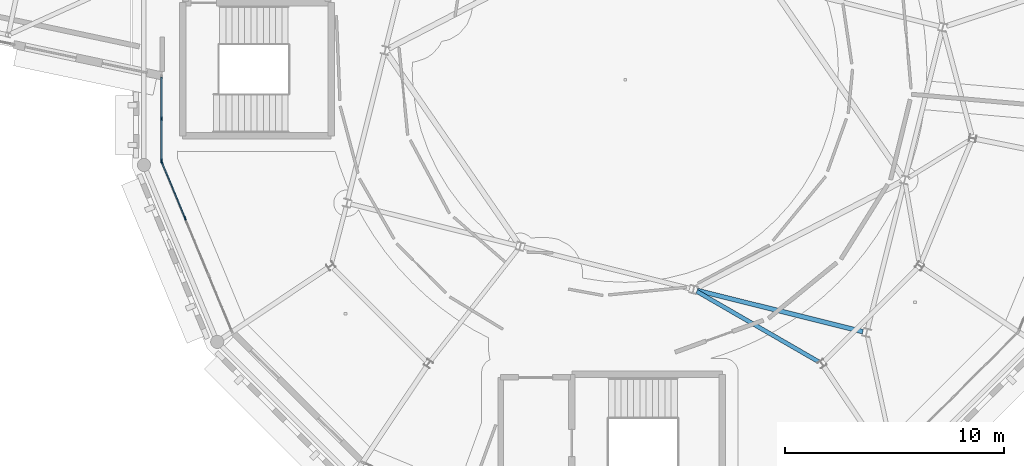
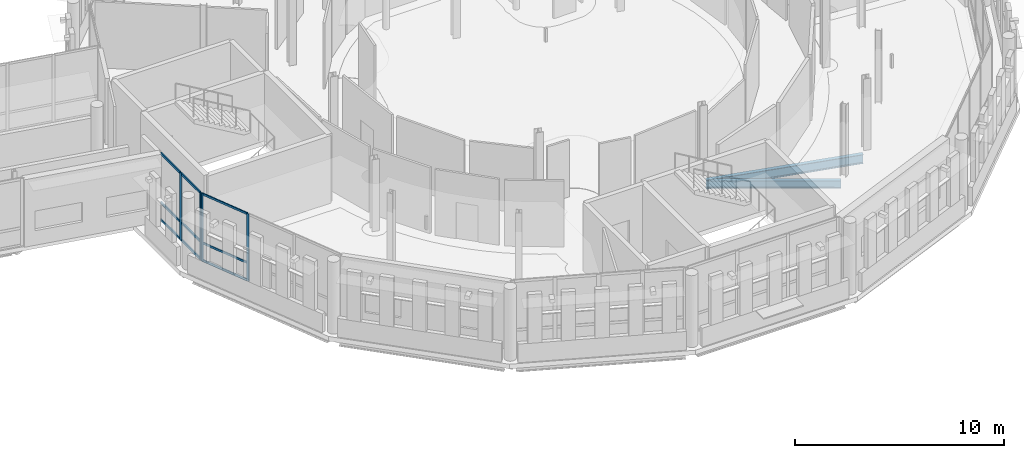
# One storey, part 55 of 125: 13 members, 2 beams, 2 elements without a shape of their own.
"""IFC4 building model written with IfcOpenShell, lengths in metres."""

from ifc_helpers import new_model, si_unit, direction, frame, origin, origin_2d, place, context, subcontext, project, spatial, rectangle, i_section, extrude, material, material_profile, profile_set, type_object, element, aggregate, save


model = new_model("IFC4")

# Units and contexts
model_context = context("Model", 3, precision=1e-05, world=origin(), true_north=direction((0.0, 1.0)))
body_context = subcontext(model_context, "Body", "Model", "MODEL_VIEW")
ifc_project = project(units=[si_unit("LENGTHUNIT", "METRE"), si_unit("AREAUNIT", "SQUARE_METRE"), si_unit("VOLUMEUNIT", "CUBIC_METRE"), si_unit("PLANEANGLEUNIT", "RADIAN"), si_unit("MASSUNIT", "GRAM", prefix="KILO")], contexts=[model_context])

# Site, building, storey
site_placement = place(None, origin())
site = spatial("IfcSite", under=ifc_project, at=site_placement, CompositionType="ELEMENT")
building_placement = place(site_placement, origin())
building = spatial("IfcBuilding", under=site, at=building_placement, Name="Wrenclough Park School", CompositionType="ELEMENT")
storey_placement = place(building_placement, frame((0.0, 0.0, 4.199951171875)))
storey = spatial("IfcBuildingStorey", under=building, at=storey_placement, Name="L01", CompositionType="ELEMENT", Elevation=4.199951171875)

# Curtain wall, members
ifc_material_1 = material(Name="Thermally broken aluminium and low-e glass curtain wall", Category="aluminium")
curtain_wall_type_1 = type_object("IfcCurtainWallType", Name="ENV-CW-02", PredefinedType="USERDEFINED", material=ifc_material_1)
curtain_wall_1_placement = place(storey_placement, origin())
curtain_wall_1 = element("IfcCurtainWall", 1, at=curtain_wall_1_placement, inside=storey, type_object=curtain_wall_type_1, Name="L01 recessed curtain wall assembly 129", ObjectType="CURTAIN WALL", PredefinedType="USERDEFINED")
ifc_material_2 = material(Name="Thermally broken anodised aluminium", Category="aluminium")
ifc_material_profile_1 = material_profile(ifc_material_2, rectangle(XDim=0.06005859375, YDim=0.159912109375, at=origin_2d()), Name="AL MULLION 60x160")
ifc_profile_set_1 = profile_set([ifc_material_profile_1], Name="Thermally broken anodised aluminium")
member_type_1 = type_object("IfcMemberType", Name="ENV-CWM-1", PredefinedType="MULLION", material=ifc_profile_set_1)
member_1_placement = place(storey_placement, frame((135.36474609375, 19.6806640625, 0.0), z_axis=(0.0, 0.0, 1.0), x_axis=(-0.923878191205, -0.382686670549, 0.0)))
member_1 = element("IfcMember", 2, at=member_1_placement, type_object=member_type_1, Name="CW-02 mullion 3", PredefinedType="MULLION", context=body_context, shape_type="SweptSolid", body=[
    extrude(rectangle(XDim=0.06005859375, YDim=0.159912109375, at=origin_2d()), origin(), (0.0, 0.0, 1.0), 3.93994140625),
])
member_2_placement = place(storey_placement, frame((134.30078125, 22.249267578125, 0.0), z_axis=(0.0, 0.0, 1.0), x_axis=(-0.923878191205, -0.382686670549, 0.0)))
member_2 = element("IfcMember", 3, at=member_2_placement, type_object=member_type_1, Name="CW-02 mullion 4", PredefinedType="MULLION", context=body_context, shape_type="SweptSolid", body=[
    extrude(rectangle(XDim=0.06005859375, YDim=0.159912109375, at=origin_2d()), origin(), (0.0, 0.0, 1.0), 3.93994140625),
])

curtain_wall_type_2 = type_object("IfcCurtainWallType", Name="ENV-CW-03", PredefinedType="USERDEFINED", material=ifc_material_1)
curtain_wall_2_placement = place(storey_placement, origin())
curtain_wall_2 = element("IfcCurtainWall", 4, at=curtain_wall_2_placement, inside=storey, type_object=curtain_wall_type_2, Name="L01 recessed curtain wall assembly 130", ObjectType="CURTAIN WALL", PredefinedType="USERDEFINED")
ifc_material_profile_2 = material_profile(ifc_material_2, rectangle(XDim=0.06494140625, YDim=0.179931640625, at=origin_2d()), Name="AL MULLION 65x180")
ifc_profile_set_2 = profile_set([ifc_material_profile_2], Name="Thermally broken anodised aluminium")
member_type_2 = type_object("IfcMemberType", Name="ENV-CWM-2", PredefinedType="MULLION", material=ifc_profile_set_2)
member_3_placement = place(storey_placement, frame((134.287841796875, 22.317138671875, 0.0), z_axis=(0.0, 0.0, 1.0), x_axis=(-1.0, 0.0, 0.0)))
member_3 = element("IfcMember", 5, at=member_3_placement, type_object=member_type_2, Name="CW-03 mullion 1", PredefinedType="MULLION", context=body_context, shape_type="SweptSolid", body=[
    extrude(rectangle(XDim=0.06494140625, YDim=0.179931640625, at=origin_2d()), origin(), (0.0, 0.0, 1.0), 3.93994140625),
])
member_4_placement = place(storey_placement, frame((134.287841796875, 24.240478515625, 0.0), z_axis=(0.0, 0.0, 1.0), x_axis=(-1.0, 0.0, 0.0)))
member_4 = element("IfcMember", 6, at=member_4_placement, type_object=member_type_2, Name="CW-03 mullion 2", PredefinedType="MULLION", context=body_context, shape_type="SweptSolid", body=[
    extrude(rectangle(XDim=0.06494140625, YDim=0.179931640625, at=origin_2d()), origin(), (0.0, 0.0, 1.0), 3.93994140625),
])

# Member
ifc_material_profile_3 = material_profile(ifc_material_2, rectangle(XDim=0.06005859375, YDim=0.1201171875, at=origin_2d()), Name="AL TRANSOM 60x120")
ifc_profile_set_3 = profile_set([ifc_material_profile_3], Name="Thermally broken anodised aluminium")
member_type_3 = type_object("IfcMemberType", Name="ENV-CWT-1", PredefinedType="USERDEFINED", material=ifc_profile_set_3)
member_5_placement = place(storey_placement, frame((135.353271484375, 19.70849609375, 0.030029296875), z_axis=(-0.382689988948, 0.923876816658, 0.0), x_axis=(-0.923876816658, -0.382689988948, 0.0)))
member_5 = element("IfcMember", 7, at=member_5_placement, type_object=member_type_3, Name="CW-02 transom 3.1", ObjectType="TRANSOM", PredefinedType="USERDEFINED", context=body_context, shape_type="SweptSolid", body=[
    extrude(rectangle(XDim=0.06005859375, YDim=0.1201171875, at=origin_2d()), origin(), (0.0, 0.0, 1.0), 2.72021484375),
])

member_6_placement = place(storey_placement, frame((135.353271484375, 19.70849609375, 1.050048828125), z_axis=(-0.382689988948, 0.923876816658, 0.0), x_axis=(-0.923876816658, -0.382689988948, 0.0)))
member_6 = element("IfcMember", 8, at=member_6_placement, type_object=member_type_3, Name="CW-02 transom 3.2", ObjectType="TRANSOM", PredefinedType="USERDEFINED", context=body_context, shape_type="SweptSolid", body=[
    extrude(rectangle(XDim=0.06005859375, YDim=0.1201171875, at=origin_2d()), origin(), (0.0, 0.0, 1.0), 2.72021484375),
])

member_7_placement = place(storey_placement, frame((135.353271484375, 19.70849609375, 3.91015625), z_axis=(-0.382689988948, 0.923876816658, 0.0), x_axis=(-0.923876816658, -0.382689988948, 0.0)))
member_7 = element("IfcMember", 9, at=member_7_placement, type_object=member_type_3, Name="CW-02 transom 3.3", ObjectType="TRANSOM", PredefinedType="USERDEFINED", context=body_context, shape_type="SweptSolid", body=[
    extrude(rectangle(XDim=0.06005859375, YDim=0.1201171875, at=origin_2d()), origin(), (0.0, 0.0, 1.0), 2.72021484375),
])

aggregate(curtain_wall_1, [member_1, member_2, member_5, member_6, member_7])

ifc_material_profile_4 = material_profile(ifc_material_2, rectangle(XDim=0.06494140625, YDim=0.139892578125, at=origin_2d()), Name="AL TRANSOM 65x140")
ifc_profile_set_4 = profile_set([ifc_material_profile_4], Name="Thermally broken anodised aluminium")
member_type_4 = type_object("IfcMemberType", Name="ENV-CWT-2", PredefinedType="USERDEFINED", material=ifc_profile_set_4)
member_8_placement = place(storey_placement, frame((134.287841796875, 22.349609375, 0.032470703125), z_axis=(0.0, 1.0, 0.0), x_axis=(-1.0, 0.0, 0.0)))
member_8 = element("IfcMember", 10, at=member_8_placement, type_object=member_type_4, Name="CW-03 transom 1.1", ObjectType="TRANSOM", PredefinedType="USERDEFINED", context=body_context, shape_type="SweptSolid", body=[
    extrude(rectangle(XDim=0.06494140625, YDim=0.139892578125, at=origin_2d()), origin(), (0.0, 0.0, 1.0), 1.8583984375),
])

member_9_placement = place(storey_placement, frame((134.287841796875, 22.349609375, 1.050048828125), z_axis=(0.0, 1.0, 0.0), x_axis=(-1.0, 0.0, 0.0)))
member_9 = element("IfcMember", 11, at=member_9_placement, type_object=member_type_4, Name="CW-03 transom 1.2", ObjectType="TRANSOM", PredefinedType="USERDEFINED", context=body_context, shape_type="SweptSolid", body=[
    extrude(rectangle(XDim=0.06494140625, YDim=0.139892578125, at=origin_2d()), origin(), (0.0, 0.0, 1.0), 1.8583984375),
])

member_10_placement = place(storey_placement, frame((134.287841796875, 22.349609375, 3.907470703125), z_axis=(0.0, 1.0, 0.0), x_axis=(-1.0, 0.0, 0.0)))
member_10 = element("IfcMember", 12, at=member_10_placement, type_object=member_type_4, Name="CW-03 transom 1.3", ObjectType="TRANSOM", PredefinedType="USERDEFINED", context=body_context, shape_type="SweptSolid", body=[
    extrude(rectangle(XDim=0.06494140625, YDim=0.139892578125, at=origin_2d()), origin(), (0.0, 0.0, 1.0), 1.8583984375),
])

member_11_placement = place(storey_placement, frame((134.287841796875, 24.273193359375, 0.032470703125), z_axis=(0.0, 1.0, 0.0), x_axis=(-1.0, 0.0, 0.0)))
member_11 = element("IfcMember", 13, at=member_11_placement, type_object=member_type_4, Name="CW-03 transom 2.1", ObjectType="TRANSOM", PredefinedType="USERDEFINED", context=body_context, shape_type="SweptSolid", body=[
    extrude(rectangle(XDim=0.06494140625, YDim=0.139892578125, at=origin_2d()), origin(), (0.0, 0.0, 1.0), 1.8583984375),
])

member_12_placement = place(storey_placement, frame((134.287841796875, 24.273193359375, 1.050048828125), z_axis=(0.0, 1.0, 0.0), x_axis=(-1.0, 0.0, 0.0)))
member_12 = element("IfcMember", 14, at=member_12_placement, type_object=member_type_4, Name="CW-03 transom 2.2", ObjectType="TRANSOM", PredefinedType="USERDEFINED", context=body_context, shape_type="SweptSolid", body=[
    extrude(rectangle(XDim=0.06494140625, YDim=0.139892578125, at=origin_2d()), origin(), (0.0, 0.0, 1.0), 1.8583984375),
])

member_13_placement = place(storey_placement, frame((134.287841796875, 24.273193359375, 3.907470703125), z_axis=(0.0, 1.0, 0.0), x_axis=(-1.0, 0.0, 0.0)))
member_13 = element("IfcMember", 15, at=member_13_placement, type_object=member_type_4, Name="CW-03 transom 2.3", ObjectType="TRANSOM", PredefinedType="USERDEFINED", context=body_context, shape_type="SweptSolid", body=[
    extrude(rectangle(XDim=0.06494140625, YDim=0.139892578125, at=origin_2d()), origin(), (0.0, 0.0, 1.0), 1.8583984375),
])

aggregate(curtain_wall_2, [member_3, member_4, member_8, member_9, member_10, member_11, member_12, member_13])

# Beams
ifc_material_3 = material(Name="Structural steel S355", Category="steel")
ifc_material_profile_5 = material_profile(ifc_material_3, i_section(OverallWidth=0.18994140625, OverallDepth=0.453369140625, WebThickness=0.008544921875, FlangeThickness=0.0126953125, FilletRadius=0.01025390625, at=origin_2d()), Name="UKB 457x191x67")
ifc_profile_set_5 = profile_set([ifc_material_profile_5], Name="Structural steel S355")
beam_type_1 = type_object("IfcBeamType", Name="STR-BM-UKB457A", PredefinedType="BEAM", material=ifc_profile_set_5)
beam_1_placement = place(storey_placement, frame((158.775146484375, 16.336669921875, -0.49169921875), z_axis=(0.865948079416, -0.500133905825, 0.0), x_axis=(0.500133905825, 0.865948079416, 0.0)))
element("IfcBeam", 16, at=beam_1_placement, inside=storey, type_object=beam_type_1, Name="Primary frame continuity tie beam 0021", PredefinedType="BEAM", context=body_context, shape_type="SweptSolid", body=[
    extrude(i_section(OverallWidth=0.18994140625, OverallDepth=0.453369140625, WebThickness=0.008544921875, FlangeThickness=0.0126953125, FilletRadius=0.01025390625, at=origin_2d()), origin(), (0.0, 0.0, 1.0), 6.454345703125),
])
ifc_material_profile_6 = material_profile(ifc_material_3, i_section(OverallWidth=0.209228515625, OverallDepth=0.533203125, WebThickness=0.010009765625, FlangeThickness=0.015625, FilletRadius=0.0126953125, at=origin_2d()), Name="UKB 533x210x92")
ifc_profile_set_6 = profile_set([ifc_material_profile_6], Name="Structural steel S355")
beam_type_2 = type_object("IfcBeamType", Name="STR-BM-UKB533A", PredefinedType="BEAM", material=ifc_profile_set_6)
beam_2_placement = place(storey_placement, frame((158.793701171875, 16.3828125, -0.531494140625), z_axis=(0.970296782276, -0.241917660177, 0.0), x_axis=(0.241917660177, 0.970296782276, 0.0)))
element("IfcBeam", 17, at=beam_2_placement, inside=storey, type_object=beam_type_2, Name="D1 L01 hall frame girder 5.7", PredefinedType="BEAM", context=body_context, shape_type="SweptSolid", body=[
    extrude(i_section(OverallWidth=0.209228515625, OverallDepth=0.533203125, WebThickness=0.010009765625, FlangeThickness=0.015625, FilletRadius=0.0126953125, at=origin_2d()), origin(), (0.0, 0.0, 1.0), 7.80908203125),
])

save(model, "model.ifc")
